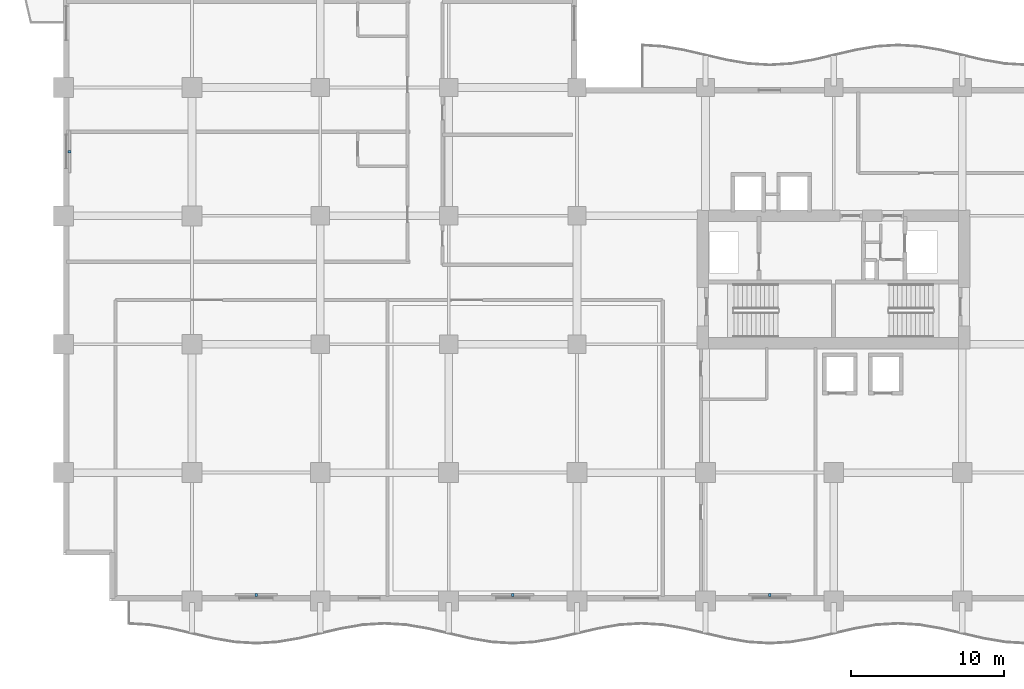
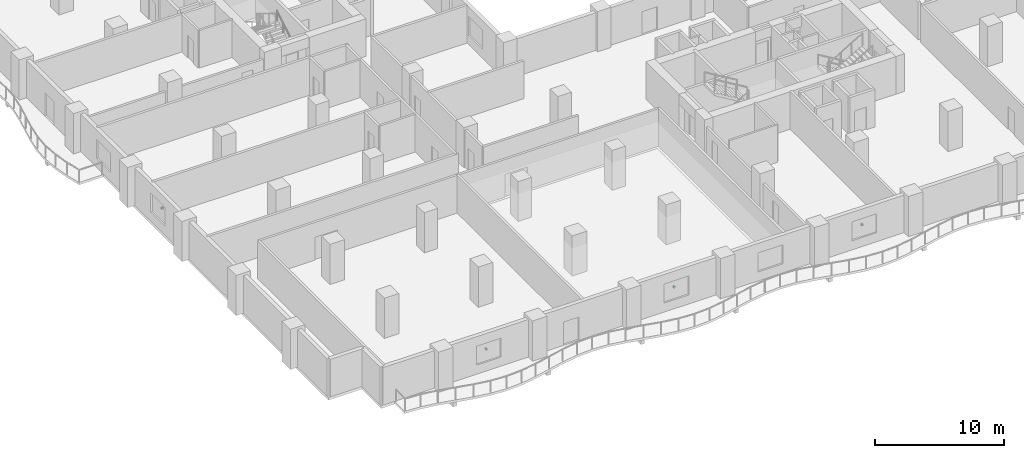
# One storey, part 18 of 23: 4 discrete accessories.
"""IFC4 building model written with IfcOpenShell, lengths in metres."""

import ifcopenshell
import ifcopenshell.guid

model = None  # the IFC model being written
_history = None  # IfcOwnerHistory: only IFC2X3 demands one
_inside = {}  # id of a spatial element -> (the spatial element, [elements in it])
_under = {}  # id of a project, library or spatial element -> (it, [spatial elements below it])
_declared = {}  # id of a project -> (the project, [libraries it declares])
_typed = {}  # id of a type object -> (the type object, [elements of that type])
_made_of = {}  # id of a material, layer set ... -> (it, [elements and type objects made of it])


def new_model(schema):
    """Start an empty IFC model of exactly this schema.

    Asked for "IFC4X3", IfcOpenShell would pick the latest addendum, in which some entities
    have other attributes; the version numbers below select the first issue.
    IFC2X3 requires an IfcOwnerHistory on every rooted entity: one is made here for all.
    """
    global model, _history
    if schema == "IFC4X3":
        model = ifcopenshell.file(schema_version=(4, 3, 0, 0))
    else:
        model = ifcopenshell.file(schema=schema)
    _inside.clear()
    _under.clear()
    _declared.clear()
    _typed.clear()
    _made_of.clear()
    _history = None
    if model.schema == "IFC2X3":
        org = make("IfcOrganization", Name="unknown")
        user = make(
            "IfcPersonAndOrganization",
            ThePerson=make("IfcPerson", FamilyName="unknown"),
            TheOrganization=org,
        )
        app = make(
            "IfcApplication",
            ApplicationDeveloper=org,
            Version="unknown",
            ApplicationFullName="unknown",
            ApplicationIdentifier="unknown",
        )
        _history = make(
            "IfcOwnerHistory",
            OwningUser=user,
            OwningApplication=app,
            ChangeAction="ADDED",
            CreationDate=0,
        )
    return model


def make(cls, **values):
    """One entity of the class cls with the attributes given. An attribute that is None is left unset."""
    return model.create_entity(
        cls, **{name: value for name, value in values.items() if value is not None}
    )


def rooted(cls, **values):
    """An entity with a GlobalId (a new one), such as an element, a storey or a relation."""
    return make(cls, GlobalId=ifcopenshell.guid.new(), OwnerHistory=_history, **values)


def si_unit(unit_type, name, prefix=None):
    """IfcSIUnit, for example si_unit("LENGTHUNIT", "METRE", prefix="MILLI")."""
    return make("IfcSIUnit", UnitType=unit_type, Prefix=prefix, Name=name)


def assignment(units):
    """IfcUnitAssignment: the units of a project."""
    return None if units is None else make("IfcUnitAssignment", Units=units)


def point(xyz):
    """IfcCartesianPoint."""
    return None if xyz is None else make("IfcCartesianPoint", Coordinates=xyz)


def direction(xyz):
    """IfcDirection."""
    return None if xyz is None else make("IfcDirection", DirectionRatios=xyz)


def frame(location, z_axis=None, x_axis=None):
    """IfcAxis2Placement3D, a coordinate frame: its origin and axes. An axis left out is left unset."""
    return make(
        "IfcAxis2Placement3D",
        Location=point(location),
        Axis=direction(z_axis),
        RefDirection=direction(x_axis),
    )


def frame_2d(location, x_axis=None):
    """IfcAxis2Placement2D, a coordinate frame in the plane: its origin and x axis."""
    return make(
        "IfcAxis2Placement2D", Location=point(location), RefDirection=direction(x_axis)
    )


def origin():
    """The frame at (0, 0, 0) with its axes left unset."""
    return frame((0.0, 0.0, 0.0))


def origin_2d():
    """The frame at (0, 0) in the plane with its x axis left unset."""
    return frame_2d((0.0, 0.0))


def place(relative_to, where):
    """IfcLocalPlacement: puts the frame where relative to a parent placement (None: the world)."""
    return make(
        "IfcLocalPlacement", PlacementRelTo=relative_to, RelativePlacement=where
    )


def context(
    kind, dimensions, precision=None, world=None, true_north=None, identifier=None
):
    """IfcGeometricRepresentationContext, for example the 3D "Model" context."""
    return make(
        "IfcGeometricRepresentationContext",
        ContextIdentifier=identifier,
        ContextType=kind,
        CoordinateSpaceDimension=dimensions,
        Precision=precision,
        WorldCoordinateSystem=world,
        TrueNorth=true_north,
    )


def subcontext(parent, identifier, kind, view, scale=None):
    """IfcGeometricRepresentationSubContext, for example "Body" below "Model"."""
    return make(
        "IfcGeometricRepresentationSubContext",
        ContextIdentifier=identifier,
        ContextType=kind,
        ParentContext=parent,
        TargetScale=scale,
        TargetView=view,
    )


def project(units=None, contexts=None):
    """IfcProject with its units and contexts."""
    return rooted(
        "IfcProject",
        Name="project",
        RepresentationContexts=contexts,
        UnitsInContext=assignment(units),
    )


def spatial(cls, under=None, at=None, **own):
    """A site, building, storey or space (cls), placed at a placement, below another one or the project."""
    s = rooted(cls, ObjectPlacement=at, **own)
    if under is not None:
        _under.setdefault(under.id(), (under, []))[1].append(s)
    return s


def profile(cls, at=None, kind="AREA", **sizes):
    """A parametric profile (cls). Its sizes go by their IFC names, for example OverallWidth=200.0."""
    return make(cls, ProfileType=kind, Position=at, **sizes)


def rectangle(**sizes):
    """IfcRectangleProfileDef."""
    return profile("IfcRectangleProfileDef", **sizes)


def extrude(swept, where, along, depth):
    """IfcExtrudedAreaSolid: the profile swept, set in the frame where, extruded along a direction by depth."""
    return make(
        "IfcExtrudedAreaSolid",
        SweptArea=swept,
        Position=where,
        ExtrudedDirection=direction(along),
        Depth=depth,
    )


def shape(context_of_items, identifier, shape_type, items):
    """IfcShapeRepresentation: the items that make up one representation, for example the "Body"."""
    return make(
        "IfcShapeRepresentation",
        ContextOfItems=context_of_items,
        RepresentationIdentifier=identifier,
        RepresentationType=shape_type,
        Items=items,
    )


def material(Name=None, Category=None):
    """IfcMaterial."""
    return make("IfcMaterial", Name=Name, Category=Category)


def made_of(thing, what):
    """Note that an element or type object is made of a material, layer set ...; save() writes the relation."""
    if what is not None:
        _made_of.setdefault(what.id(), (what, []))[1].append(thing)
    return thing


def type_object(cls, material=None, **own):
    """A type object (cls), such as IfcWallType, which elements share."""
    return made_of(rooted(cls, **own), material)


def element(
    cls,
    number,
    at=None,
    inside=None,
    cuts=None,
    type_object=None,
    material=None,
    context=None,
    identifier="Body",
    shape_type=None,
    held_by="IfcProductDefinitionShape",
    body=None,
    shapes=None,
    **own,
):
    """One element of the class cls, such as IfcWall. Its Tag is "e" and its number.

    at: its placement. inside: the storey or other place that contains it. cuts: it is an
    opening in that element (IfcRelVoidsElement). A single representation is given by context,
    identifier, shape_type and body (its items); several are given by shapes. held_by: the class
    of the entity that holds the representations. save() writes the other relations.
    """
    e = rooted(cls, Tag="e%d" % number, ObjectPlacement=at, **own)
    if body is not None:
        shapes = [shape(context, identifier, shape_type, body)]
    if shapes is not None:
        e.Representation = make(held_by, Representations=shapes)
    if inside is not None:
        _inside.setdefault(inside.id(), (inside, []))[1].append(e)
    if cuts is not None:
        rooted(
            "IfcRelVoidsElement", RelatingBuildingElement=cuts, RelatedOpeningElement=e
        )
    if type_object is not None:
        _typed.setdefault(type_object.id(), (type_object, []))[1].append(e)
    return made_of(e, material)


def aggregate(whole, parts):
    """IfcRelAggregates: a whole, such as a stair, and the parts it consists of."""
    return rooted("IfcRelAggregates", RelatingObject=whole, RelatedObjects=parts)


def save(model, path):
    """Write the relations noted so far, then the file.

    IfcRelAggregates (storeys below a building ...), IfcRelContainedInSpatialStructure (elements
    in a storey), IfcRelDefinesByType, IfcRelAssociatesMaterial and IfcRelDeclares: one each for
    every whole, place, type object, material and project.
    """
    for whole, parts in _under.values():
        aggregate(whole, parts)
    for where, things in _inside.values():
        rooted(
            "IfcRelContainedInSpatialStructure",
            RelatedElements=things,
            RelatingStructure=where,
        )
    for kind, things in _typed.values():
        rooted("IfcRelDefinesByType", RelatedObjects=things, RelatingType=kind)
    for what, things in _made_of.values():
        rooted("IfcRelAssociatesMaterial", RelatedObjects=things, RelatingMaterial=what)
    for by, libraries in _declared.values():
        rooted("IfcRelDeclares", RelatingContext=by, RelatedDefinitions=libraries)
    model.write(path)


model = new_model("IFC4")

# Units and contexts
model_context = context("Model", 3, precision=1e-05, world=origin(), true_north=direction((0.0, 1.0)))
body_context = subcontext(model_context, "Body", "Model", "MODEL_VIEW")
ifc_project = project(units=[si_unit("LENGTHUNIT", "METRE"), si_unit("AREAUNIT", "SQUARE_METRE"), si_unit("VOLUMEUNIT", "CUBIC_METRE"), si_unit("PLANEANGLEUNIT", "RADIAN"), si_unit("MASSUNIT", "GRAM", prefix="KILO")], contexts=[model_context])

# Site, building, storey
site_placement = place(None, origin())
site = spatial("IfcSite", under=ifc_project, at=site_placement, CompositionType="ELEMENT")
building_placement = place(site_placement, origin())
building = spatial("IfcBuilding", under=site, at=building_placement, Name="Koriwani Terraces Tower", CompositionType="ELEMENT")
storey_placement = place(building_placement, frame((0.0, 0.0, 134.199951171875)))
storey = spatial("IfcBuildingStorey", under=building, at=storey_placement, Name="L32", CompositionType="ELEMENT", Elevation=134.199951171875)

# Discrete accessories
ifc_material = material(Name="Steel ASTM A572 Grade 50", Category="steel")
discrete_accessory_type = type_object("IfcDiscreteAccessoryType", Name="BAGUETTE_STANDOFF_BRACKET", PredefinedType="BRACKET", material=ifc_material)
for number, where, z_axis, x_axis, name in (
    (1, (0.389892578125, 29.39990234375, 1.68505859375), (0.0, 0.0, 1.0), (0.0, 1.0, 0.0), "L32 Terracotta Baguette Bracket (W-9)"),
    (2, (12.60009765625, 0.389892578125, 1.68505859375), (0.0, 0.0, 1.0), (-1.0, 0.0, 0.0), "L32 Terracotta Baguette Bracket (S-3)"),
    (3, (29.39990234375, 0.389892578125, 1.68505859375), (0.0, 0.0, 1.0), (-1.0, 0.0, 0.0), "L32 Terracotta Baguette Bracket (S-9)"),
    (4, (46.199951171875, 0.389892578125, 1.68505859375), (0.0, 0.0, 1.0), (-1.0, 0.0, 0.0), "L32 Terracotta Baguette Bracket (S-15)"),
):
    element("IfcDiscreteAccessory", number, at=place(storey_placement, frame(where, z_axis=z_axis, x_axis=x_axis)), inside=storey, type_object=discrete_accessory_type, Name=name, PredefinedType="BRACKET", context=body_context, shape_type="SweptSolid", body=[
        extrude(rectangle(XDim=0.159912109375, YDim=0.199951171875, at=origin_2d()), origin(), (0.0, 0.0, 1.0), 0.179931640625),
    ])

save(model, "model.ifc")
